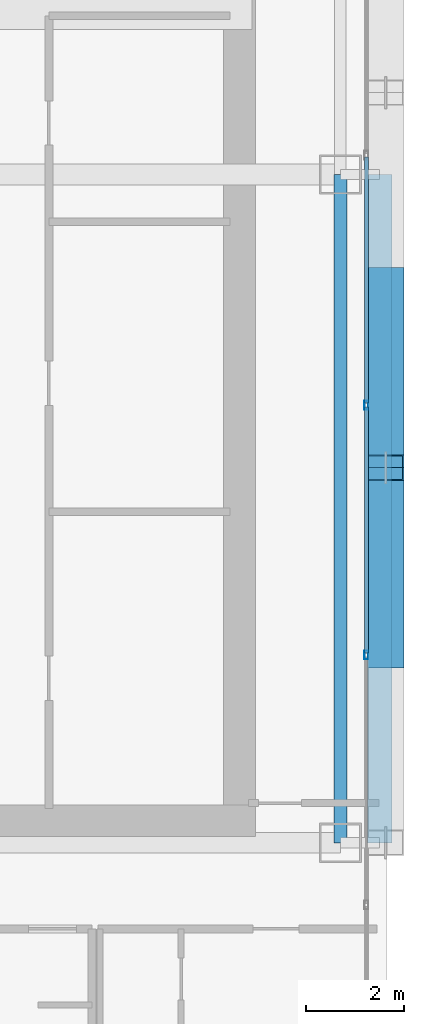
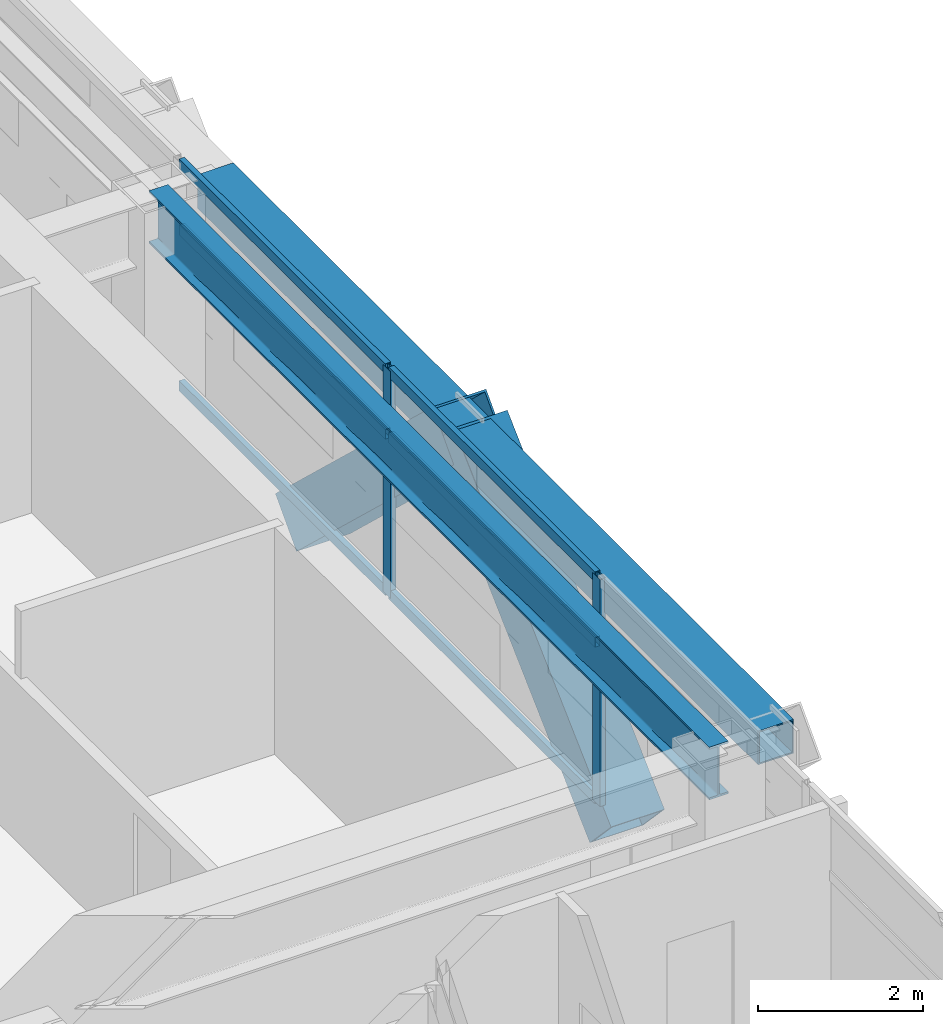
# One storey, part 13 of 35: 10 members, 2 beams, 1 element without a shape of its own.
"""IFC4 building model written with IfcOpenShell, lengths in metres."""

import ifcopenshell
import ifcopenshell.guid

model = None  # the IFC model being written
_history = None  # IfcOwnerHistory: only IFC2X3 demands one
_inside = {}  # id of a spatial element -> (the spatial element, [elements in it])
_under = {}  # id of a project, library or spatial element -> (it, [spatial elements below it])
_declared = {}  # id of a project -> (the project, [libraries it declares])
_typed = {}  # id of a type object -> (the type object, [elements of that type])
_made_of = {}  # id of a material, layer set ... -> (it, [elements and type objects made of it])


def new_model(schema):
    """Start an empty IFC model of exactly this schema.

    Asked for "IFC4X3", IfcOpenShell would pick the latest addendum, in which some entities
    have other attributes; the version numbers below select the first issue.
    IFC2X3 requires an IfcOwnerHistory on every rooted entity: one is made here for all.
    """
    global model, _history
    if schema == "IFC4X3":
        model = ifcopenshell.file(schema_version=(4, 3, 0, 0))
    else:
        model = ifcopenshell.file(schema=schema)
    _inside.clear()
    _under.clear()
    _declared.clear()
    _typed.clear()
    _made_of.clear()
    _history = None
    if model.schema == "IFC2X3":
        org = make("IfcOrganization", Name="unknown")
        user = make(
            "IfcPersonAndOrganization",
            ThePerson=make("IfcPerson", FamilyName="unknown"),
            TheOrganization=org,
        )
        app = make(
            "IfcApplication",
            ApplicationDeveloper=org,
            Version="unknown",
            ApplicationFullName="unknown",
            ApplicationIdentifier="unknown",
        )
        _history = make(
            "IfcOwnerHistory",
            OwningUser=user,
            OwningApplication=app,
            ChangeAction="ADDED",
            CreationDate=0,
        )
    return model


def make(cls, **values):
    """One entity of the class cls with the attributes given. An attribute that is None is left unset."""
    return model.create_entity(
        cls, **{name: value for name, value in values.items() if value is not None}
    )


def rooted(cls, **values):
    """An entity with a GlobalId (a new one), such as an element, a storey or a relation."""
    return make(cls, GlobalId=ifcopenshell.guid.new(), OwnerHistory=_history, **values)


def si_unit(unit_type, name, prefix=None):
    """IfcSIUnit, for example si_unit("LENGTHUNIT", "METRE", prefix="MILLI")."""
    return make("IfcSIUnit", UnitType=unit_type, Prefix=prefix, Name=name)


def assignment(units):
    """IfcUnitAssignment: the units of a project."""
    return None if units is None else make("IfcUnitAssignment", Units=units)


def point(xyz):
    """IfcCartesianPoint."""
    return None if xyz is None else make("IfcCartesianPoint", Coordinates=xyz)


def direction(xyz):
    """IfcDirection."""
    return None if xyz is None else make("IfcDirection", DirectionRatios=xyz)


def frame(location, z_axis=None, x_axis=None):
    """IfcAxis2Placement3D, a coordinate frame: its origin and axes. An axis left out is left unset."""
    return make(
        "IfcAxis2Placement3D",
        Location=point(location),
        Axis=direction(z_axis),
        RefDirection=direction(x_axis),
    )


def frame_2d(location, x_axis=None):
    """IfcAxis2Placement2D, a coordinate frame in the plane: its origin and x axis."""
    return make(
        "IfcAxis2Placement2D", Location=point(location), RefDirection=direction(x_axis)
    )


def origin():
    """The frame at (0, 0, 0) with its axes left unset."""
    return frame((0.0, 0.0, 0.0))


def origin_2d():
    """The frame at (0, 0) in the plane with its x axis left unset."""
    return frame_2d((0.0, 0.0))


def place(relative_to, where):
    """IfcLocalPlacement: puts the frame where relative to a parent placement (None: the world)."""
    return make(
        "IfcLocalPlacement", PlacementRelTo=relative_to, RelativePlacement=where
    )


def context(
    kind, dimensions, precision=None, world=None, true_north=None, identifier=None
):
    """IfcGeometricRepresentationContext, for example the 3D "Model" context."""
    return make(
        "IfcGeometricRepresentationContext",
        ContextIdentifier=identifier,
        ContextType=kind,
        CoordinateSpaceDimension=dimensions,
        Precision=precision,
        WorldCoordinateSystem=world,
        TrueNorth=true_north,
    )


def subcontext(parent, identifier, kind, view, scale=None):
    """IfcGeometricRepresentationSubContext, for example "Body" below "Model"."""
    return make(
        "IfcGeometricRepresentationSubContext",
        ContextIdentifier=identifier,
        ContextType=kind,
        ParentContext=parent,
        TargetScale=scale,
        TargetView=view,
    )


def project(units=None, contexts=None):
    """IfcProject with its units and contexts."""
    return rooted(
        "IfcProject",
        Name="project",
        RepresentationContexts=contexts,
        UnitsInContext=assignment(units),
    )


def spatial(cls, under=None, at=None, **own):
    """A site, building, storey or space (cls), placed at a placement, below another one or the project."""
    s = rooted(cls, ObjectPlacement=at, **own)
    if under is not None:
        _under.setdefault(under.id(), (under, []))[1].append(s)
    return s


def profile(cls, at=None, kind="AREA", **sizes):
    """A parametric profile (cls). Its sizes go by their IFC names, for example OverallWidth=200.0."""
    return make(cls, ProfileType=kind, Position=at, **sizes)


def hollow_rectangle(**sizes):
    """IfcRectangleHollowProfileDef."""
    return profile("IfcRectangleHollowProfileDef", **sizes)


def i_section(**sizes):
    """IfcIShapeProfileDef."""
    return profile("IfcIShapeProfileDef", **sizes)


def extrude(swept, where, along, depth):
    """IfcExtrudedAreaSolid: the profile swept, set in the frame where, extruded along a direction by depth."""
    return make(
        "IfcExtrudedAreaSolid",
        SweptArea=swept,
        Position=where,
        ExtrudedDirection=direction(along),
        Depth=depth,
    )


def shape(context_of_items, identifier, shape_type, items):
    """IfcShapeRepresentation: the items that make up one representation, for example the "Body"."""
    return make(
        "IfcShapeRepresentation",
        ContextOfItems=context_of_items,
        RepresentationIdentifier=identifier,
        RepresentationType=shape_type,
        Items=items,
    )


def source(mapping_origin, context_of_items, identifier, shape_type, items):
    """IfcRepresentationMap: a shape defined once, which mapped items show again and again."""
    return make(
        "IfcRepresentationMap",
        MappingOrigin=mapping_origin,
        MappedRepresentation=shape(context_of_items, identifier, shape_type, items),
    )


def transform(
    local_origin,
    x_axis=None,
    y_axis=None,
    z_axis=None,
    scale=None,
    scale2=None,
    scale3=None,
    uniform=True,
):
    """IfcCartesianTransformationOperator3D, or its non-uniform kind. x_axis, y_axis, z_axis: its Axis1, 2, 3."""
    if uniform:
        return make(
            "IfcCartesianTransformationOperator3D",
            Axis1=direction(x_axis),
            Axis2=direction(y_axis),
            LocalOrigin=point(local_origin),
            Scale=scale,
            Axis3=direction(z_axis),
        )
    return make(
        "IfcCartesianTransformationOperator3DnonUniform",
        Axis1=direction(x_axis),
        Axis2=direction(y_axis),
        LocalOrigin=point(local_origin),
        Scale=scale,
        Axis3=direction(z_axis),
        Scale2=scale2,
        Scale3=scale3,
    )


def mapped(mapping_source, mapping_target):
    """IfcMappedItem: shows the shape of a source again, moved by a transform."""
    return make(
        "IfcMappedItem", MappingSource=mapping_source, MappingTarget=mapping_target
    )


def material(Name=None, Category=None):
    """IfcMaterial."""
    return make("IfcMaterial", Name=Name, Category=Category)


def layer(
    of_material, thickness, ventilated=None, Name=None, Category=None, Priority=None
):
    """IfcMaterialLayer: one layer of a wall or slab, of a material (None: an air gap)."""
    return make(
        "IfcMaterialLayer",
        Material=of_material,
        LayerThickness=thickness,
        IsVentilated=ventilated,
        Name=Name,
        Category=Category,
        Priority=Priority,
    )


def layer_set(layers, Name=None):
    """IfcMaterialLayerSet."""
    return make("IfcMaterialLayerSet", MaterialLayers=layers, LayerSetName=Name)


def material_profile(
    of_material, cross_section, Name=None, Category=None, Priority=None
):
    """IfcMaterialProfile: a cross section and its material."""
    return make(
        "IfcMaterialProfile",
        Name=Name,
        Material=of_material,
        Profile=cross_section,
        Priority=Priority,
        Category=Category,
    )


def profile_set(profiles, Name=None, composite=None):
    """IfcMaterialProfileSet."""
    return make(
        "IfcMaterialProfileSet",
        Name=Name,
        MaterialProfiles=profiles,
        CompositeProfile=composite,
    )


def made_of(thing, what):
    """Note that an element or type object is made of a material, layer set ...; save() writes the relation."""
    if what is not None:
        _made_of.setdefault(what.id(), (what, []))[1].append(thing)
    return thing


def type_object(cls, material=None, **own):
    """A type object (cls), such as IfcWallType, which elements share."""
    return made_of(rooted(cls, **own), material)


def element(
    cls,
    number,
    at=None,
    inside=None,
    cuts=None,
    type_object=None,
    material=None,
    context=None,
    identifier="Body",
    shape_type=None,
    held_by="IfcProductDefinitionShape",
    body=None,
    shapes=None,
    **own,
):
    """One element of the class cls, such as IfcWall. Its Tag is "e" and its number.

    at: its placement. inside: the storey or other place that contains it. cuts: it is an
    opening in that element (IfcRelVoidsElement). A single representation is given by context,
    identifier, shape_type and body (its items); several are given by shapes. held_by: the class
    of the entity that holds the representations. save() writes the other relations.
    """
    e = rooted(cls, Tag="e%d" % number, ObjectPlacement=at, **own)
    if body is not None:
        shapes = [shape(context, identifier, shape_type, body)]
    if shapes is not None:
        e.Representation = make(held_by, Representations=shapes)
    if inside is not None:
        _inside.setdefault(inside.id(), (inside, []))[1].append(e)
    if cuts is not None:
        rooted(
            "IfcRelVoidsElement", RelatingBuildingElement=cuts, RelatedOpeningElement=e
        )
    if type_object is not None:
        _typed.setdefault(type_object.id(), (type_object, []))[1].append(e)
    return made_of(e, material)


def aggregate(whole, parts):
    """IfcRelAggregates: a whole, such as a stair, and the parts it consists of."""
    return rooted("IfcRelAggregates", RelatingObject=whole, RelatedObjects=parts)


def save(model, path):
    """Write the relations noted so far, then the file.

    IfcRelAggregates (storeys below a building ...), IfcRelContainedInSpatialStructure (elements
    in a storey), IfcRelDefinesByType, IfcRelAssociatesMaterial and IfcRelDeclares: one each for
    every whole, place, type object, material and project.
    """
    for whole, parts in _under.values():
        aggregate(whole, parts)
    for where, things in _inside.values():
        rooted(
            "IfcRelContainedInSpatialStructure",
            RelatedElements=things,
            RelatingStructure=where,
        )
    for kind, things in _typed.values():
        rooted("IfcRelDefinesByType", RelatedObjects=things, RelatingType=kind)
    for what, things in _made_of.values():
        rooted("IfcRelAssociatesMaterial", RelatedObjects=things, RelatingMaterial=what)
    for by, libraries in _declared.values():
        rooted("IfcRelDeclares", RelatingContext=by, RelatedDefinitions=libraries)
    model.write(path)


model = new_model("IFC4")

# Units and contexts
model_context = context("Model", 3, precision=1e-05, world=origin(), true_north=direction((0.0, 1.0)))
body_context = subcontext(model_context, "Body", "Model", "MODEL_VIEW")
ifc_project = project(units=[si_unit("LENGTHUNIT", "METRE"), si_unit("AREAUNIT", "SQUARE_METRE"), si_unit("VOLUMEUNIT", "CUBIC_METRE"), si_unit("PLANEANGLEUNIT", "RADIAN"), si_unit("MASSUNIT", "GRAM", prefix="KILO")], contexts=[model_context])

# Site, building, storey
site_placement = place(None, origin())
site = spatial("IfcSite", under=ifc_project, at=site_placement, CompositionType="ELEMENT")
building_placement = place(site_placement, origin())
building = spatial("IfcBuilding", under=site, at=building_placement, Name="Ocotamira Hotel", CompositionType="ELEMENT")
storey_placement = place(building_placement, frame((0.0, 0.0, 115.199951171875)))
storey = spatial("IfcBuildingStorey", under=building, at=storey_placement, Name="L28", CompositionType="ELEMENT", Elevation=115.199951171875)

# Beams
ifc_material_1 = material(Name="Steel ASTM A992 Grade 50", Category="steel")
ifc_material_profile_1 = material_profile(ifc_material_1, i_section(OverallWidth=0.26611328125, OverallDepth=0.779052734375, WebThickness=0.0166015625, FlangeThickness=0.030029296875, FilletRadius=0.01806640625, at=origin_2d()), Name="W30X148")
ifc_profile_set_1 = profile_set([ifc_material_profile_1], Name="Steel ASTM A992 Grade 50")
beam_type_1 = type_object("IfcBeamType", Name="BM-GIRD-W30X148", PredefinedType="BEAM", material=ifc_profile_set_1)
shared_shape_1 = source(origin(), body_context, "Body", "SweptSolid", [
    extrude(i_section(OverallWidth=0.26611328125, OverallDepth=0.779052734375, WebThickness=0.0166015625, FlangeThickness=0.030029296875, FilletRadius=0.01806640625, at=origin_2d()), origin(), (0.0, 0.0, 1.0), 13.599853515625),
])
beam_1_placement = place(storey_placement, frame((55.050048828125, 14.550048828125, 2.970458984375), z_axis=(0.0, 1.0, 0.0), x_axis=(-1.0, 0.0, 0.0)))
element("IfcBeam", 1, at=beam_1_placement, inside=storey, type_object=beam_type_1, Name="L28 Beam X55.05 Y14.55-28.15", PredefinedType="BEAM", context=body_context, shape_type="MappedRepresentation", body=[
    mapped(shared_shape_1, transform((0.0, 0.0, 0.0), scale=1.0)),
])
ifc_material_2 = material(Name="Steel ASTM A500 Grade C", Category="steel")
ifc_material_profile_2 = material_profile(ifc_material_2, hollow_rectangle(XDim=0.5, YDim=0.5, WallThickness=0.02001953125, at=origin_2d()), Name="HSS500X500X20")
ifc_profile_set_2 = profile_set([ifc_material_profile_2], Name="Steel ASTM A500 Grade C")
beam_type_2 = type_object("IfcBeamType", Name="BM-SPAN-HSS500", PredefinedType="USERDEFINED", material=ifc_profile_set_2)
shared_shape_2 = source(origin(), body_context, "Body", "SweptSolid", [
    extrude(hollow_rectangle(XDim=0.5, YDim=0.5, WallThickness=0.02001953125, at=origin_2d()), origin(), (0.0, 0.0, 1.0), 13.599853515625),
])
beam_2_placement = place(storey_placement, frame((55.85009765625, 14.550048828125, 3.110107421875), z_axis=(0.0, 1.0, 0.0), x_axis=(-1.0, 0.0, 0.0)))
element("IfcBeam", 2, at=beam_2_placement, inside=storey, type_object=beam_type_2, Name="L28 Edge Spandrel E Y14.55-28.15", ObjectType="SPANDREL", PredefinedType="USERDEFINED", context=body_context, shape_type="MappedRepresentation", body=[
    mapped(shared_shape_2, transform((0.0, 0.0, 0.0), scale=1.0)),
])

# Members
ifc_material_3 = material(Name="Pale-metal coated steel ASTM A913 Grade 65", Category="steel")
ifc_material_profile_3 = material_profile(ifc_material_3, hollow_rectangle(XDim=0.75, YDim=0.75, WallThickness=0.028076171875, at=origin_2d()), Name="BOX750X750X28")
ifc_profile_set_3 = profile_set([ifc_material_profile_3], Name="Pale-metal coated steel ASTM A913 Grade 65")
member_type_1 = type_object("IfcMemberType", Name="MEM-EXO-BOX750", PredefinedType="BRACE", material=ifc_profile_set_3)
shared_shape_3 = source(origin(), body_context, "Body", "SweptSolid", [
    extrude(hollow_rectangle(XDim=0.75, YDim=0.75, WallThickness=0.028076171875, at=origin_2d()), origin(), (0.0, 0.0, 1.0), 5.24658203125),
])
for number, where, z_axis, x_axis, name in (
    (3, (55.969970703125, 18.36669921875, -0.489990234375), (0.0, 0.727442733726, 0.686168397078), (-1.0, 0.0, 0.0), "L28 Exoskeleton Diagrid E0.2"),
    (4, (55.969970703125, 26.0, -0.489990234375), (0.0, -0.727442733726, 0.686168397078), (1.0, 0.0, 0.0), "L28 Exoskeleton Diagrid E1.1"),
):
    element("IfcMember", number, at=place(storey_placement, frame(where, z_axis=z_axis, x_axis=x_axis)), inside=storey, type_object=member_type_1, Name=name, PredefinedType="BRACE", context=body_context, shape_type="MappedRepresentation", body=[
        mapped(shared_shape_3, transform((0.0, 0.0, 0.0), scale=1.0)),
    ])

# Curtain wall, members
ifc_material_4 = material(Name="Anodised pale-metal aluminium and solar glass", Category="aluminium")
ifc_layer = layer(ifc_material_4, 0.179931640625)
ifc_layer_set = layer_set([ifc_layer], Name="Anodised pale-metal aluminium and solar glass")
curtain_wall_type = type_object("IfcCurtainWallType", Name="CW-SYS3-Z2", PredefinedType="NOTDEFINED", material=ifc_layer_set)
curtain_wall_placement = place(storey_placement, origin())
curtain_wall = element("IfcCurtainWall", 5, at=curtain_wall_placement, inside=storey, type_object=curtain_wall_type, Name="L28 Curtain Wall CW-3 CW-L28-E", PredefinedType="NOTDEFINED")
ifc_material_5 = material(Name="Anodised pale-metal aluminium 6063-T6", Category="aluminium")
ifc_material_profile_4 = material_profile(ifc_material_5, hollow_rectangle(XDim=0.074951171875, YDim=0.14990234375, WallThickness=0.006103515625, at=origin_2d()), Name="HSS150X75X6")
ifc_profile_set_4 = profile_set([ifc_material_profile_4], Name="Anodised pale-metal aluminium 6063-T6")
member_type_2 = type_object("IfcMemberType", Name="CWT-150X75", PredefinedType="USERDEFINED", material=ifc_profile_set_4)
shared_shape_4 = source(origin(), body_context, "Body", "SweptSolid", [
    extrude(hollow_rectangle(XDim=0.074951171875, YDim=0.14990234375, WallThickness=0.006103515625, at=origin_2d()), origin(), (0.0, 0.0, 1.0), 5.005859375),
])
member_1_placement = place(storey_placement, frame((55.580078125, 18.411376953125, 0.03759765625), z_axis=(0.0, 1.0, 0.0), x_axis=(-1.0, 0.0, 0.0)))
member_1 = element("IfcMember", 6, at=member_1_placement, type_object=member_type_2, Name="CW-3 transom 3.1", ObjectType="TRANSOM", PredefinedType="USERDEFINED", context=body_context, shape_type="MappedRepresentation", body=[
    mapped(shared_shape_4, transform((0.0, 0.0, 0.0), scale=1.0)),
])
member_2_placement = place(storey_placement, frame((55.580078125, 18.411376953125, 2.35009765625), z_axis=(0.0, 1.0, 0.0), x_axis=(-1.0, 0.0, 0.0)))
member_2 = element("IfcMember", 7, at=member_2_placement, type_object=member_type_2, Name="CW-3 transom 3.2", ObjectType="TRANSOM", PredefinedType="USERDEFINED", context=body_context, shape_type="MappedRepresentation", body=[
    mapped(shared_shape_4, transform((0.0, 0.0, 0.0), scale=1.0)),
])
member_3_placement = place(storey_placement, frame((55.580078125, 18.411376953125, 3.322509765625), z_axis=(0.0, 1.0, 0.0), x_axis=(-1.0, 0.0, 0.0)))
member_3 = element("IfcMember", 8, at=member_3_placement, type_object=member_type_2, Name="CW-3 transom 3.3", ObjectType="TRANSOM", PredefinedType="USERDEFINED", context=body_context, shape_type="MappedRepresentation", body=[
    mapped(shared_shape_4, transform((0.0, 0.0, 0.0), scale=1.0)),
])
member_4_placement = place(storey_placement, frame((55.580078125, 23.4970703125, 0.03759765625), z_axis=(0.0, 1.0, 0.0), x_axis=(-1.0, 0.0, 0.0)))
member_4 = element("IfcMember", 9, at=member_4_placement, type_object=member_type_2, Name="CW-3 transom 4.1", ObjectType="TRANSOM", PredefinedType="USERDEFINED", context=body_context, shape_type="MappedRepresentation", body=[
    mapped(shared_shape_4, transform((0.0, 0.0, 0.0), scale=1.0)),
])
member_5_placement = place(storey_placement, frame((55.580078125, 23.4970703125, 2.35009765625), z_axis=(0.0, 1.0, 0.0), x_axis=(-1.0, 0.0, 0.0)))
member_5 = element("IfcMember", 10, at=member_5_placement, type_object=member_type_2, Name="CW-3 transom 4.2", ObjectType="TRANSOM", PredefinedType="USERDEFINED", context=body_context, shape_type="MappedRepresentation", body=[
    mapped(shared_shape_4, transform((0.0, 0.0, 0.0), scale=1.0)),
])
member_6_placement = place(storey_placement, frame((55.580078125, 23.4970703125, 3.322509765625), z_axis=(0.0, 1.0, 0.0), x_axis=(-1.0, 0.0, 0.0)))
member_6 = element("IfcMember", 11, at=member_6_placement, type_object=member_type_2, Name="CW-3 transom 4.3", ObjectType="TRANSOM", PredefinedType="USERDEFINED", context=body_context, shape_type="MappedRepresentation", body=[
    mapped(shared_shape_4, transform((0.0, 0.0, 0.0), scale=1.0)),
])
ifc_material_profile_5 = material_profile(ifc_material_5, hollow_rectangle(XDim=0.080078125, YDim=0.179931640625, WallThickness=0.006103515625, at=origin_2d()), Name="HSS180X80X6")
ifc_profile_set_5 = profile_set([ifc_material_profile_5], Name="Anodised pale-metal aluminium 6063-T6")
member_type_3 = type_object("IfcMemberType", Name="CWM-180X75", PredefinedType="MULLION", material=ifc_profile_set_5)
shared_shape_5 = source(origin(), body_context, "Body", "SweptSolid", [
    extrude(hollow_rectangle(XDim=0.080078125, YDim=0.179931640625, WallThickness=0.006103515625, at=origin_2d()), origin(), (0.0, 0.0, 1.0), 3.360107421875),
])
member_7_placement = place(storey_placement, frame((55.580078125, 18.371337890625, 0.0), z_axis=(0.0, 0.0, 1.0), x_axis=(-1.0, 0.0, 0.0)))
member_7 = element("IfcMember", 12, at=member_7_placement, type_object=member_type_3, Name="CW-3 mullion 3", PredefinedType="MULLION", context=body_context, shape_type="MappedRepresentation", body=[
    mapped(shared_shape_5, transform((0.0, 0.0, 0.0), scale=1.0)),
])
member_8_placement = place(storey_placement, frame((55.580078125, 23.45703125, 0.0), z_axis=(0.0, 0.0, 1.0), x_axis=(-1.0, 0.0, 0.0)))
member_8 = element("IfcMember", 13, at=member_8_placement, type_object=member_type_3, Name="CW-3 mullion 4", PredefinedType="MULLION", context=body_context, shape_type="MappedRepresentation", body=[
    mapped(shared_shape_5, transform((0.0, 0.0, 0.0), scale=1.0)),
])
aggregate(curtain_wall, [member_7, member_8, member_1, member_2, member_3, member_4, member_5, member_6])

save(model, "model.ifc")
